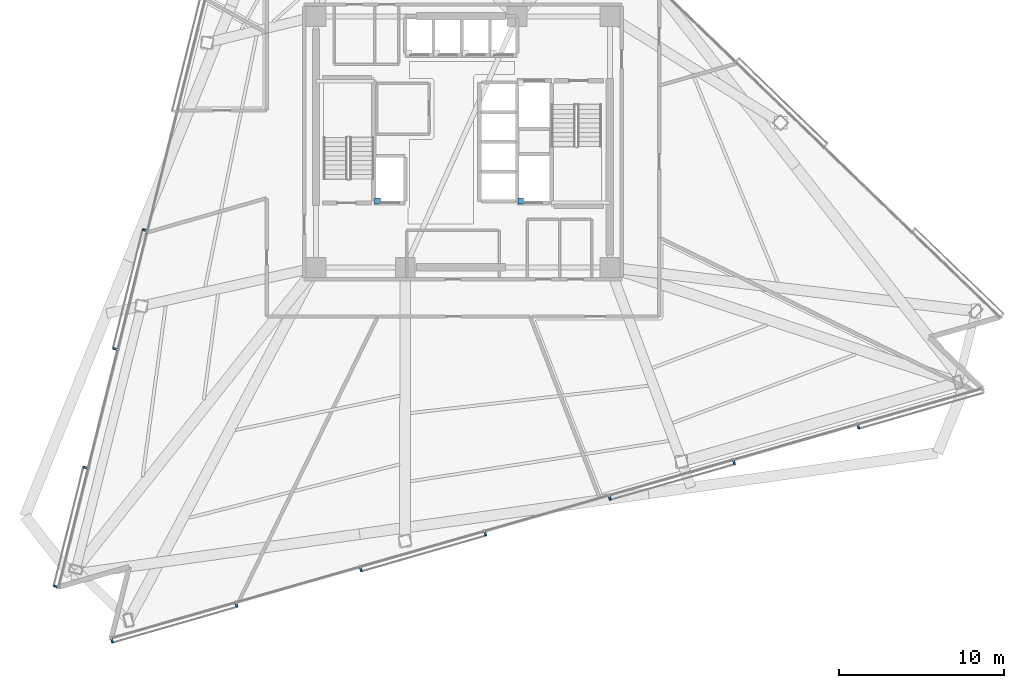
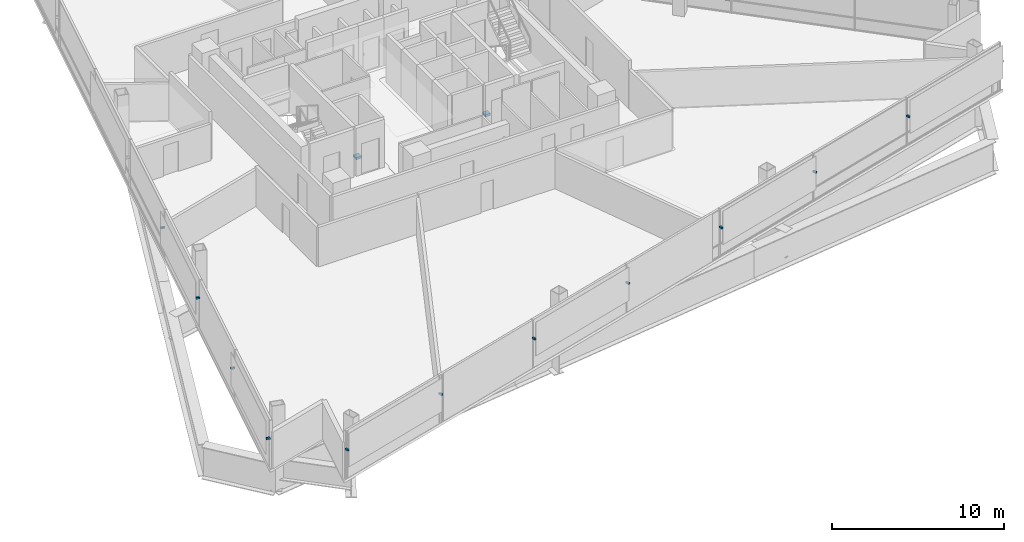
# One storey, part 14 of 21: 13 discrete accessories.
"""IFC4 building model written with IfcOpenShell, lengths in metres."""

import ifcopenshell
import ifcopenshell.guid

model = None  # the IFC model being written
_history = None  # IfcOwnerHistory: only IFC2X3 demands one
_inside = {}  # id of a spatial element -> (the spatial element, [elements in it])
_under = {}  # id of a project, library or spatial element -> (it, [spatial elements below it])
_declared = {}  # id of a project -> (the project, [libraries it declares])
_typed = {}  # id of a type object -> (the type object, [elements of that type])
_made_of = {}  # id of a material, layer set ... -> (it, [elements and type objects made of it])


def new_model(schema):
    """Start an empty IFC model of exactly this schema.

    Asked for "IFC4X3", IfcOpenShell would pick the latest addendum, in which some entities
    have other attributes; the version numbers below select the first issue.
    IFC2X3 requires an IfcOwnerHistory on every rooted entity: one is made here for all.
    """
    global model, _history
    if schema == "IFC4X3":
        model = ifcopenshell.file(schema_version=(4, 3, 0, 0))
    else:
        model = ifcopenshell.file(schema=schema)
    _inside.clear()
    _under.clear()
    _declared.clear()
    _typed.clear()
    _made_of.clear()
    _history = None
    if model.schema == "IFC2X3":
        org = make("IfcOrganization", Name="unknown")
        user = make(
            "IfcPersonAndOrganization",
            ThePerson=make("IfcPerson", FamilyName="unknown"),
            TheOrganization=org,
        )
        app = make(
            "IfcApplication",
            ApplicationDeveloper=org,
            Version="unknown",
            ApplicationFullName="unknown",
            ApplicationIdentifier="unknown",
        )
        _history = make(
            "IfcOwnerHistory",
            OwningUser=user,
            OwningApplication=app,
            ChangeAction="ADDED",
            CreationDate=0,
        )
    return model


def make(cls, **values):
    """One entity of the class cls with the attributes given. An attribute that is None is left unset."""
    return model.create_entity(
        cls, **{name: value for name, value in values.items() if value is not None}
    )


def rooted(cls, **values):
    """An entity with a GlobalId (a new one), such as an element, a storey or a relation."""
    return make(cls, GlobalId=ifcopenshell.guid.new(), OwnerHistory=_history, **values)


def si_unit(unit_type, name, prefix=None):
    """IfcSIUnit, for example si_unit("LENGTHUNIT", "METRE", prefix="MILLI")."""
    return make("IfcSIUnit", UnitType=unit_type, Prefix=prefix, Name=name)


def assignment(units):
    """IfcUnitAssignment: the units of a project."""
    return None if units is None else make("IfcUnitAssignment", Units=units)


def point(xyz):
    """IfcCartesianPoint."""
    return None if xyz is None else make("IfcCartesianPoint", Coordinates=xyz)


def direction(xyz):
    """IfcDirection."""
    return None if xyz is None else make("IfcDirection", DirectionRatios=xyz)


def frame(location, z_axis=None, x_axis=None):
    """IfcAxis2Placement3D, a coordinate frame: its origin and axes. An axis left out is left unset."""
    return make(
        "IfcAxis2Placement3D",
        Location=point(location),
        Axis=direction(z_axis),
        RefDirection=direction(x_axis),
    )


def frame_2d(location, x_axis=None):
    """IfcAxis2Placement2D, a coordinate frame in the plane: its origin and x axis."""
    return make(
        "IfcAxis2Placement2D", Location=point(location), RefDirection=direction(x_axis)
    )


def origin():
    """The frame at (0, 0, 0) with its axes left unset."""
    return frame((0.0, 0.0, 0.0))


def origin_2d():
    """The frame at (0, 0) in the plane with its x axis left unset."""
    return frame_2d((0.0, 0.0))


def place(relative_to, where):
    """IfcLocalPlacement: puts the frame where relative to a parent placement (None: the world)."""
    return make(
        "IfcLocalPlacement", PlacementRelTo=relative_to, RelativePlacement=where
    )


def context(
    kind, dimensions, precision=None, world=None, true_north=None, identifier=None
):
    """IfcGeometricRepresentationContext, for example the 3D "Model" context."""
    return make(
        "IfcGeometricRepresentationContext",
        ContextIdentifier=identifier,
        ContextType=kind,
        CoordinateSpaceDimension=dimensions,
        Precision=precision,
        WorldCoordinateSystem=world,
        TrueNorth=true_north,
    )


def subcontext(parent, identifier, kind, view, scale=None):
    """IfcGeometricRepresentationSubContext, for example "Body" below "Model"."""
    return make(
        "IfcGeometricRepresentationSubContext",
        ContextIdentifier=identifier,
        ContextType=kind,
        ParentContext=parent,
        TargetScale=scale,
        TargetView=view,
    )


def project(units=None, contexts=None):
    """IfcProject with its units and contexts."""
    return rooted(
        "IfcProject",
        Name="project",
        RepresentationContexts=contexts,
        UnitsInContext=assignment(units),
    )


def spatial(cls, under=None, at=None, **own):
    """A site, building, storey or space (cls), placed at a placement, below another one or the project."""
    s = rooted(cls, ObjectPlacement=at, **own)
    if under is not None:
        _under.setdefault(under.id(), (under, []))[1].append(s)
    return s


def profile(cls, at=None, kind="AREA", **sizes):
    """A parametric profile (cls). Its sizes go by their IFC names, for example OverallWidth=200.0."""
    return make(cls, ProfileType=kind, Position=at, **sizes)


def rectangle(**sizes):
    """IfcRectangleProfileDef."""
    return profile("IfcRectangleProfileDef", **sizes)


def extrude(swept, where, along, depth):
    """IfcExtrudedAreaSolid: the profile swept, set in the frame where, extruded along a direction by depth."""
    return make(
        "IfcExtrudedAreaSolid",
        SweptArea=swept,
        Position=where,
        ExtrudedDirection=direction(along),
        Depth=depth,
    )


def shape(context_of_items, identifier, shape_type, items):
    """IfcShapeRepresentation: the items that make up one representation, for example the "Body"."""
    return make(
        "IfcShapeRepresentation",
        ContextOfItems=context_of_items,
        RepresentationIdentifier=identifier,
        RepresentationType=shape_type,
        Items=items,
    )


def material(Name=None, Category=None):
    """IfcMaterial."""
    return make("IfcMaterial", Name=Name, Category=Category)


def made_of(thing, what):
    """Note that an element or type object is made of a material, layer set ...; save() writes the relation."""
    if what is not None:
        _made_of.setdefault(what.id(), (what, []))[1].append(thing)
    return thing


def type_object(cls, material=None, **own):
    """A type object (cls), such as IfcWallType, which elements share."""
    return made_of(rooted(cls, **own), material)


def element(
    cls,
    number,
    at=None,
    inside=None,
    cuts=None,
    type_object=None,
    material=None,
    context=None,
    identifier="Body",
    shape_type=None,
    held_by="IfcProductDefinitionShape",
    body=None,
    shapes=None,
    **own,
):
    """One element of the class cls, such as IfcWall. Its Tag is "e" and its number.

    at: its placement. inside: the storey or other place that contains it. cuts: it is an
    opening in that element (IfcRelVoidsElement). A single representation is given by context,
    identifier, shape_type and body (its items); several are given by shapes. held_by: the class
    of the entity that holds the representations. save() writes the other relations.
    """
    e = rooted(cls, Tag="e%d" % number, ObjectPlacement=at, **own)
    if body is not None:
        shapes = [shape(context, identifier, shape_type, body)]
    if shapes is not None:
        e.Representation = make(held_by, Representations=shapes)
    if inside is not None:
        _inside.setdefault(inside.id(), (inside, []))[1].append(e)
    if cuts is not None:
        rooted(
            "IfcRelVoidsElement", RelatingBuildingElement=cuts, RelatedOpeningElement=e
        )
    if type_object is not None:
        _typed.setdefault(type_object.id(), (type_object, []))[1].append(e)
    return made_of(e, material)


def aggregate(whole, parts):
    """IfcRelAggregates: a whole, such as a stair, and the parts it consists of."""
    return rooted("IfcRelAggregates", RelatingObject=whole, RelatedObjects=parts)


def save(model, path):
    """Write the relations noted so far, then the file.

    IfcRelAggregates (storeys below a building ...), IfcRelContainedInSpatialStructure (elements
    in a storey), IfcRelDefinesByType, IfcRelAssociatesMaterial and IfcRelDeclares: one each for
    every whole, place, type object, material and project.
    """
    for whole, parts in _under.values():
        aggregate(whole, parts)
    for where, things in _inside.values():
        rooted(
            "IfcRelContainedInSpatialStructure",
            RelatedElements=things,
            RelatingStructure=where,
        )
    for kind, things in _typed.values():
        rooted("IfcRelDefinesByType", RelatedObjects=things, RelatingType=kind)
    for what, things in _made_of.values():
        rooted("IfcRelAssociatesMaterial", RelatedObjects=things, RelatingMaterial=what)
    for by, libraries in _declared.values():
        rooted("IfcRelDeclares", RelatingContext=by, RelatedDefinitions=libraries)
    model.write(path)


model = new_model("IFC4")

# Units and contexts
model_context = context("Model", 3, precision=1e-05, world=origin(), true_north=direction((0.0, 1.0)))
body_context = subcontext(model_context, "Body", "Model", "MODEL_VIEW")
ifc_project = project(units=[si_unit("LENGTHUNIT", "METRE"), si_unit("AREAUNIT", "SQUARE_METRE"), si_unit("VOLUMEUNIT", "CUBIC_METRE"), si_unit("PLANEANGLEUNIT", "RADIAN"), si_unit("MASSUNIT", "GRAM", prefix="KILO")], contexts=[model_context])

# Site, building, storey
site_placement = place(None, origin())
site = spatial("IfcSite", under=ifc_project, at=site_placement, CompositionType="ELEMENT")
building_placement = place(site_placement, origin())
building = spatial("IfcBuilding", under=site, at=building_placement, Name="Tharavind Bronze Gate", CompositionType="ELEMENT")
storey_placement = place(building_placement, frame((0.0, 0.0, 86.10009765625)))
storey = spatial("IfcBuildingStorey", under=building, at=storey_placement, Name="L21", CompositionType="ELEMENT", Elevation=86.10009765625)

# Discrete accessories
ifc_material_1 = material(Name="Galvanised Steel S355", Category="steel")
discrete_accessory_type_1 = type_object("IfcDiscreteAccessoryType", Name="LIFT GUIDE RAIL BRACKET", PredefinedType="BRACKET", material=ifc_material_1)
for number, where, z_axis, x_axis, name in (
    (1, (-5.179931640625, -3.580078125, 1.1201171875), (0.0, 0.0, 1.0), (1.0, 0.0, 0.0), "Lift FFL1 guide rail bracket at L21"),
    (2, (3.5, -3.580078125, 1.1201171875), (0.0, 0.0, 1.0), (1.0, 0.0, 0.0), "Lift SVL1 guide rail bracket at L21"),
):
    element("IfcDiscreteAccessory", number, at=place(storey_placement, frame(where, z_axis=z_axis, x_axis=x_axis)), inside=storey, type_object=discrete_accessory_type_1, Name=name, PredefinedType="BRACKET", context=body_context, shape_type="SweptSolid", body=[
        extrude(rectangle(XDim=0.360107421875, YDim=0.360107421875, at=origin_2d()), origin(), (0.0, 0.0, 1.0), 0.159912109375),
    ])
ifc_material_2 = material(Name="Stainless Steel 316", Category="steel")
discrete_accessory_type_2 = type_object("IfcDiscreteAccessoryType", Name="SOLAR SCREEN STANDOFF BRACKET", PredefinedType="BRACKET", material=ifc_material_2)
for number, where, z_axis, x_axis, name in (
    (3, (-19.282958984375, -5.338134765625, 2.0947265625), (0.0, 0.0, 1.0), (-0.2419218956, -0.970295726276, 0.0), "CW-L21-S1 solar screen bracket 5.1"),
    (4, (-21.07666015625, -12.531982421875, 2.0947265625), (0.0, 0.0, 1.0), (-0.2419218956, -0.970295726276, 0.0), "CW-L21-S1 solar screen bracket 5.2"),
    (5, (-22.870361328125, -19.72607421875, 2.0947265625), (0.0, 0.0, 1.0), (-0.2419218956, -0.970295726276, 0.0), "CW-L21-S1 solar screen bracket 7.1"),
    (6, (-24.6640625, -26.920166015625, 2.0947265625), (0.0, 0.0, 1.0), (-0.2419218956, -0.970295726276, 0.0), "CW-L21-S1 solar screen bracket 7.2"),
    (7, (-21.245849609375, -30.220703125, 2.0947265625), (0.0, 0.0, 1.0), (0.961261695938, 0.275637355817, 0.0), "CW-L21-S2 solar screen bracket 1.1"),
    (8, (-13.71240234375, -28.060546875, 2.0947265625), (0.0, 0.0, 1.0), (0.961261695938, 0.275637355817, 0.0), "CW-L21-S2 solar screen bracket 1.2"),
    (9, (-6.178955078125, -25.900390625, 2.0947265625), (0.0, 0.0, 1.0), (0.961261695938, 0.275637355817, 0.0), "CW-L21-S2 solar screen bracket 3.1"),
    (10, (1.3544921875, -23.740234375, 2.0947265625), (0.0, 0.0, 1.0), (0.961261695938, 0.275637355817, 0.0), "CW-L21-S2 solar screen bracket 3.2"),
    (11, (8.887939453125, -21.580078125, 2.0947265625), (0.0, 0.0, 1.0), (0.961261695938, 0.275637355817, 0.0), "CW-L21-S2 solar screen bracket 5.1"),
    (12, (16.42138671875, -19.419921875, 2.0947265625), (0.0, 0.0, 1.0), (0.961261695938, 0.275637355817, 0.0), "CW-L21-S2 solar screen bracket 5.2"),
    (13, (23.954833984375, -17.259765625, 2.0947265625), (0.0, 0.0, 1.0), (0.961261695938, 0.275637355817, 0.0), "CW-L21-S2 solar screen bracket 7.1"),
):
    element("IfcDiscreteAccessory", number, at=place(storey_placement, frame(where, z_axis=z_axis, x_axis=x_axis)), inside=storey, type_object=discrete_accessory_type_2, Name=name, PredefinedType="BRACKET", context=body_context, shape_type="SweptSolid", body=[
        extrude(rectangle(XDim=0.1201171875, YDim=0.239990234375, at=origin_2d()), origin(), (0.0, 0.0, 1.0), 0.1201171875),
    ])

save(model, "model.ifc")
